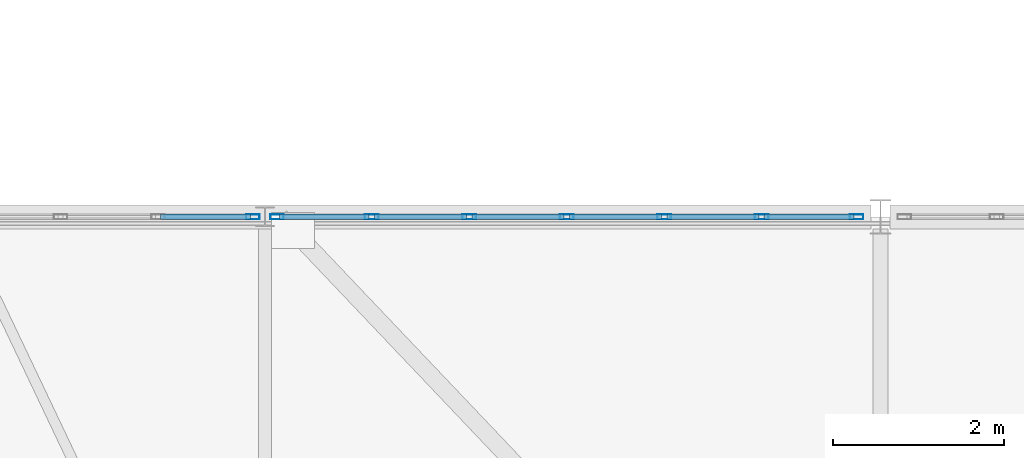
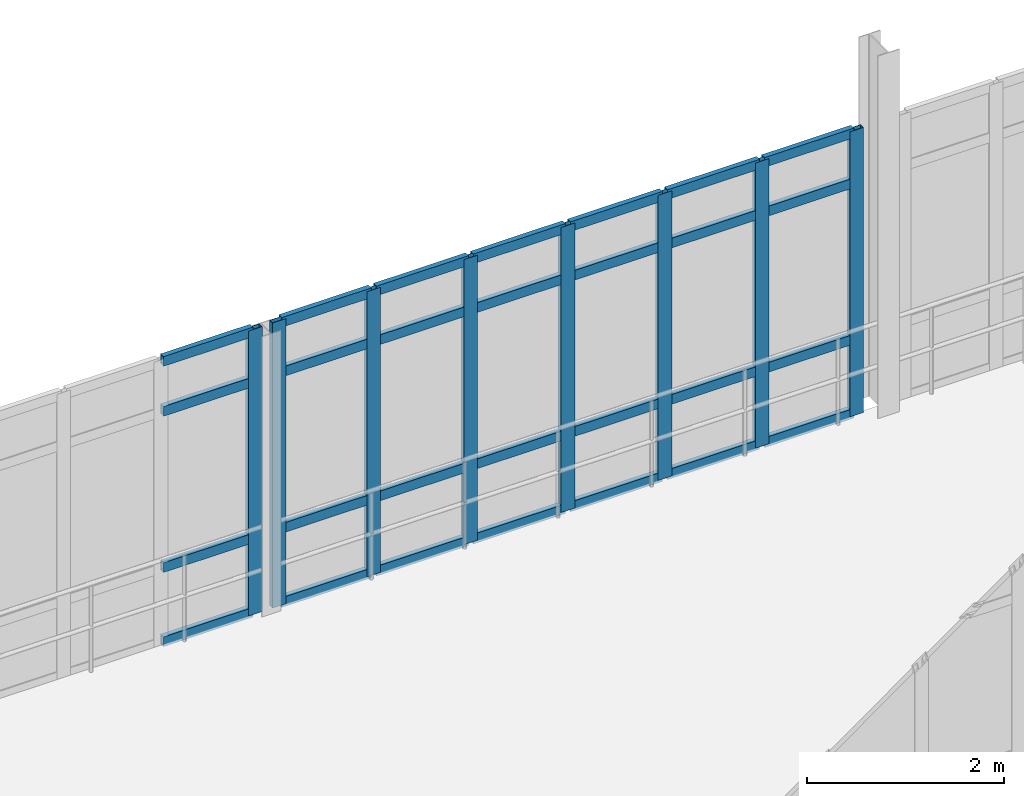
# One storey, part 49 of 116: 36 members, 2 elements without a shape of their own.
"""IFC4 building model written with IfcOpenShell, lengths in metres."""

from ifc_helpers import new_model, si_unit, direction, frame, origin, origin_2d, place, context, subcontext, project, spatial, hollow_rectangle, extrude, material, material_profile, profile_set, type_object, element, aggregate, save


model = new_model("IFC4")

# Units and contexts
model_context = context("Model", 3, precision=1e-05, world=origin(), true_north=direction((0.0, 1.0)))
body_context = subcontext(model_context, "Body", "Model", "MODEL_VIEW")
ifc_project = project(units=[si_unit("LENGTHUNIT", "METRE"), si_unit("AREAUNIT", "SQUARE_METRE"), si_unit("VOLUMEUNIT", "CUBIC_METRE"), si_unit("PLANEANGLEUNIT", "RADIAN"), si_unit("MASSUNIT", "GRAM", prefix="KILO")], contexts=[model_context])

# Site, building, storey
site_placement = place(None, origin())
site = spatial("IfcSite", under=ifc_project, at=site_placement, CompositionType="ELEMENT")
building_placement = place(site_placement, origin())
building = spatial("IfcBuilding", under=site, at=building_placement, Name="Kalluvel Institute of Natural Sciences", CompositionType="ELEMENT")
storey_placement = place(building_placement, frame((0.0, 0.0, 14.39990234375)))
storey = spatial("IfcBuildingStorey", under=building, at=storey_placement, Name="L03", CompositionType="ELEMENT", Elevation=14.39990234375)

# Curtain wall, member
ifc_material = material(Name="Aluminium AW-6063 T6", Category="aluminium")
curtain_wall_type = type_object("IfcCurtainWallType", Name="CW-BRG-45", PredefinedType="USERDEFINED", material=ifc_material)
curtain_wall_1_placement = place(storey_placement, origin())
curtain_wall_1 = element("IfcCurtainWall", 1, at=curtain_wall_1_placement, inside=storey, type_object=curtain_wall_type, Name="L03 Gothic lancet curtain wall CWA-L03-X790-Y356", ObjectType="UNITISED LANCET FACADE", PredefinedType="USERDEFINED")
ifc_material_profile_1 = material_profile(ifc_material, hollow_rectangle(XDim=0.06005859375, YDim=0.159912109375, WallThickness=0.00390625, at=origin_2d()), Name="CWM 60x160")
ifc_profile_set_1 = profile_set([ifc_material_profile_1], Name="Aluminium AW-6063 T6")
member_type_1 = type_object("IfcMemberType", Name="CWM-60x160", PredefinedType="MULLION", material=ifc_profile_set_1)
member_1_placement = place(storey_placement, frame((85.860107421875, 35.60009765625, 0.0), z_axis=(0.0, 0.0, 1.0), x_axis=(0.0, 1.0, 0.0)))
member_1 = element("IfcMember", 2, at=member_1_placement, type_object=member_type_1, Name="CW-07 mullion 7", PredefinedType="MULLION", context=body_context, shape_type="SweptSolid", body=[
    extrude(hollow_rectangle(XDim=0.06005859375, YDim=0.159912109375, WallThickness=0.00390625, at=origin_2d()), origin(), (0.0, 0.0, 1.0), 3.5400390625),
])

# Curtain wall, members
curtain_wall_2_placement = place(storey_placement, origin())
curtain_wall_2 = element("IfcCurtainWall", 3, at=curtain_wall_2_placement, inside=storey, type_object=curtain_wall_type, Name="L03 Gothic lancet curtain wall CWA-L03-X861-Y356", ObjectType="UNITISED LANCET FACADE", PredefinedType="USERDEFINED")
member_2_placement = place(storey_placement, frame((86.139892578125, 35.60009765625, 0.0), z_axis=(0.0, 0.0, 1.0), x_axis=(0.0, 1.0, 0.0)))
member_2 = element("IfcMember", 4, at=member_2_placement, type_object=member_type_1, Name="CW-07 mullion 1", PredefinedType="MULLION", context=body_context, shape_type="SweptSolid", body=[
    extrude(hollow_rectangle(XDim=0.06005859375, YDim=0.159912109375, WallThickness=0.00390625, at=origin_2d()), origin(), (0.0, 0.0, 1.0), 3.5400390625),
])
member_3_placement = place(storey_placement, frame((87.25, 35.60009765625, 0.0), z_axis=(0.0, 0.0, 1.0), x_axis=(0.0, 1.0, 0.0)))
member_3 = element("IfcMember", 5, at=member_3_placement, type_object=member_type_1, Name="CW-07 mullion 2", PredefinedType="MULLION", context=body_context, shape_type="SweptSolid", body=[
    extrude(hollow_rectangle(XDim=0.06005859375, YDim=0.159912109375, WallThickness=0.00390625, at=origin_2d()), origin(), (0.0, 0.0, 1.0), 3.5400390625),
])
member_4_placement = place(storey_placement, frame((88.389892578125, 35.60009765625, 0.0), z_axis=(0.0, 0.0, 1.0), x_axis=(0.0, 1.0, 0.0)))
member_4 = element("IfcMember", 6, at=member_4_placement, type_object=member_type_1, Name="CW-07 mullion 3", PredefinedType="MULLION", context=body_context, shape_type="SweptSolid", body=[
    extrude(hollow_rectangle(XDim=0.06005859375, YDim=0.159912109375, WallThickness=0.00390625, at=origin_2d()), origin(), (0.0, 0.0, 1.0), 3.5400390625),
])
member_5_placement = place(storey_placement, frame((89.530029296875, 35.60009765625, 0.0), z_axis=(0.0, 0.0, 1.0), x_axis=(0.0, 1.0, 0.0)))
member_5 = element("IfcMember", 7, at=member_5_placement, type_object=member_type_1, Name="CW-07 mullion 4", PredefinedType="MULLION", context=body_context, shape_type="SweptSolid", body=[
    extrude(hollow_rectangle(XDim=0.06005859375, YDim=0.159912109375, WallThickness=0.00390625, at=origin_2d()), origin(), (0.0, 0.0, 1.0), 3.5400390625),
])
member_6_placement = place(storey_placement, frame((90.669921875, 35.60009765625, 0.0), z_axis=(0.0, 0.0, 1.0), x_axis=(0.0, 1.0, 0.0)))
member_6 = element("IfcMember", 8, at=member_6_placement, type_object=member_type_1, Name="CW-07 mullion 5", PredefinedType="MULLION", context=body_context, shape_type="SweptSolid", body=[
    extrude(hollow_rectangle(XDim=0.06005859375, YDim=0.159912109375, WallThickness=0.00390625, at=origin_2d()), origin(), (0.0, 0.0, 1.0), 3.5400390625),
])
member_7_placement = place(storey_placement, frame((91.81005859375, 35.60009765625, 0.0), z_axis=(0.0, 0.0, 1.0), x_axis=(0.0, 1.0, 0.0)))
member_7 = element("IfcMember", 9, at=member_7_placement, type_object=member_type_1, Name="CW-07 mullion 6", PredefinedType="MULLION", context=body_context, shape_type="SweptSolid", body=[
    extrude(hollow_rectangle(XDim=0.06005859375, YDim=0.159912109375, WallThickness=0.00390625, at=origin_2d()), origin(), (0.0, 0.0, 1.0), 3.5400390625),
])
member_8_placement = place(storey_placement, frame((92.919921875, 35.60009765625, 0.0), z_axis=(0.0, 0.0, 1.0), x_axis=(0.0, 1.0, 0.0)))
member_8 = element("IfcMember", 10, at=member_8_placement, type_object=member_type_1, Name="CW-07 mullion 7", PredefinedType="MULLION", context=body_context, shape_type="SweptSolid", body=[
    extrude(hollow_rectangle(XDim=0.06005859375, YDim=0.159912109375, WallThickness=0.00390625, at=origin_2d()), origin(), (0.0, 0.0, 1.0), 3.5400390625),
])

# Member
ifc_material_profile_2 = material_profile(ifc_material, hollow_rectangle(XDim=0.06005859375, YDim=0.1201171875, WallThickness=0.00390625, at=origin_2d()), Name="CWT 60x120")
ifc_profile_set_2 = profile_set([ifc_material_profile_2], Name="Aluminium AW-6063 T6")
member_type_2 = type_object("IfcMemberType", Name="CWT-60x120", PredefinedType="USERDEFINED", material=ifc_profile_set_2)
member_9_placement = place(storey_placement, frame((84.780029296875, 35.60009765625, 0.030029296875), z_axis=(1.0, 0.0, 0.0), x_axis=(0.0, 1.0, 0.0)))
member_9 = element("IfcMember", 11, at=member_9_placement, type_object=member_type_2, Name="CW-07 transom 6.1", ObjectType="TRANSOM", PredefinedType="USERDEFINED", context=body_context, shape_type="SweptSolid", body=[
    extrude(hollow_rectangle(XDim=0.06005859375, YDim=0.1201171875, WallThickness=0.00390625, at=origin_2d()), origin(), (0.0, 0.0, 1.0), 1.050048828125),
])

member_10_placement = place(storey_placement, frame((84.780029296875, 35.60009765625, 0.9501953125), z_axis=(1.0, 0.0, 0.0), x_axis=(0.0, 1.0, 0.0)))
member_10 = element("IfcMember", 12, at=member_10_placement, type_object=member_type_2, Name="CW-07 transom 6.2", ObjectType="TRANSOM", PredefinedType="USERDEFINED", context=body_context, shape_type="SweptSolid", body=[
    extrude(hollow_rectangle(XDim=0.06005859375, YDim=0.1201171875, WallThickness=0.00390625, at=origin_2d()), origin(), (0.0, 0.0, 1.0), 1.050048828125),
])

member_11_placement = place(storey_placement, frame((84.780029296875, 35.60009765625, 2.89013671875), z_axis=(1.0, 0.0, 0.0), x_axis=(0.0, 1.0, 0.0)))
member_11 = element("IfcMember", 13, at=member_11_placement, type_object=member_type_2, Name="CW-07 transom 6.3", ObjectType="TRANSOM", PredefinedType="USERDEFINED", context=body_context, shape_type="SweptSolid", body=[
    extrude(hollow_rectangle(XDim=0.06005859375, YDim=0.1201171875, WallThickness=0.00390625, at=origin_2d()), origin(), (0.0, 0.0, 1.0), 1.050048828125),
])

member_12_placement = place(storey_placement, frame((84.780029296875, 35.60009765625, 3.510009765625), z_axis=(1.0, 0.0, 0.0), x_axis=(0.0, 1.0, 0.0)))
member_12 = element("IfcMember", 14, at=member_12_placement, type_object=member_type_2, Name="CW-07 transom 6.4", ObjectType="TRANSOM", PredefinedType="USERDEFINED", context=body_context, shape_type="SweptSolid", body=[
    extrude(hollow_rectangle(XDim=0.06005859375, YDim=0.1201171875, WallThickness=0.00390625, at=origin_2d()), origin(), (0.0, 0.0, 1.0), 1.050048828125),
])

aggregate(curtain_wall_1, [member_1, member_9, member_10, member_11, member_12])

member_13_placement = place(storey_placement, frame((86.169921875, 35.60009765625, 0.030029296875), z_axis=(1.0, 0.0, 0.0), x_axis=(0.0, 1.0, 0.0)))
member_13 = element("IfcMember", 15, at=member_13_placement, type_object=member_type_2, Name="CW-07 transom 1.1", ObjectType="TRANSOM", PredefinedType="USERDEFINED", context=body_context, shape_type="SweptSolid", body=[
    extrude(hollow_rectangle(XDim=0.06005859375, YDim=0.1201171875, WallThickness=0.00390625, at=origin_2d()), origin(), (0.0, 0.0, 1.0), 1.050048828125),
])

member_14_placement = place(storey_placement, frame((86.169921875, 35.60009765625, 0.9501953125), z_axis=(1.0, 0.0, 0.0), x_axis=(0.0, 1.0, 0.0)))
member_14 = element("IfcMember", 16, at=member_14_placement, type_object=member_type_2, Name="CW-07 transom 1.2", ObjectType="TRANSOM", PredefinedType="USERDEFINED", context=body_context, shape_type="SweptSolid", body=[
    extrude(hollow_rectangle(XDim=0.06005859375, YDim=0.1201171875, WallThickness=0.00390625, at=origin_2d()), origin(), (0.0, 0.0, 1.0), 1.050048828125),
])

member_15_placement = place(storey_placement, frame((86.169921875, 35.60009765625, 2.89013671875), z_axis=(1.0, 0.0, 0.0), x_axis=(0.0, 1.0, 0.0)))
member_15 = element("IfcMember", 17, at=member_15_placement, type_object=member_type_2, Name="CW-07 transom 1.3", ObjectType="TRANSOM", PredefinedType="USERDEFINED", context=body_context, shape_type="SweptSolid", body=[
    extrude(hollow_rectangle(XDim=0.06005859375, YDim=0.1201171875, WallThickness=0.00390625, at=origin_2d()), origin(), (0.0, 0.0, 1.0), 1.050048828125),
])

member_16_placement = place(storey_placement, frame((86.169921875, 35.60009765625, 3.510009765625), z_axis=(1.0, 0.0, 0.0), x_axis=(0.0, 1.0, 0.0)))
member_16 = element("IfcMember", 18, at=member_16_placement, type_object=member_type_2, Name="CW-07 transom 1.4", ObjectType="TRANSOM", PredefinedType="USERDEFINED", context=body_context, shape_type="SweptSolid", body=[
    extrude(hollow_rectangle(XDim=0.06005859375, YDim=0.1201171875, WallThickness=0.00390625, at=origin_2d()), origin(), (0.0, 0.0, 1.0), 1.050048828125),
])

member_17_placement = place(storey_placement, frame((87.280029296875, 35.60009765625, 0.030029296875), z_axis=(1.0, 0.0, 0.0), x_axis=(0.0, 1.0, 0.0)))
member_17 = element("IfcMember", 19, at=member_17_placement, type_object=member_type_2, Name="CW-07 transom 2.1", ObjectType="TRANSOM", PredefinedType="USERDEFINED", context=body_context, shape_type="SweptSolid", body=[
    extrude(hollow_rectangle(XDim=0.06005859375, YDim=0.1201171875, WallThickness=0.00390625, at=origin_2d()), origin(), (0.0, 0.0, 1.0), 1.080078125),
])

member_18_placement = place(storey_placement, frame((87.280029296875, 35.60009765625, 0.9501953125), z_axis=(1.0, 0.0, 0.0), x_axis=(0.0, 1.0, 0.0)))
member_18 = element("IfcMember", 20, at=member_18_placement, type_object=member_type_2, Name="CW-07 transom 2.2", ObjectType="TRANSOM", PredefinedType="USERDEFINED", context=body_context, shape_type="SweptSolid", body=[
    extrude(hollow_rectangle(XDim=0.06005859375, YDim=0.1201171875, WallThickness=0.00390625, at=origin_2d()), origin(), (0.0, 0.0, 1.0), 1.080078125),
])

member_19_placement = place(storey_placement, frame((87.280029296875, 35.60009765625, 2.89013671875), z_axis=(1.0, 0.0, 0.0), x_axis=(0.0, 1.0, 0.0)))
member_19 = element("IfcMember", 21, at=member_19_placement, type_object=member_type_2, Name="CW-07 transom 2.3", ObjectType="TRANSOM", PredefinedType="USERDEFINED", context=body_context, shape_type="SweptSolid", body=[
    extrude(hollow_rectangle(XDim=0.06005859375, YDim=0.1201171875, WallThickness=0.00390625, at=origin_2d()), origin(), (0.0, 0.0, 1.0), 1.080078125),
])

member_20_placement = place(storey_placement, frame((87.280029296875, 35.60009765625, 3.510009765625), z_axis=(1.0, 0.0, 0.0), x_axis=(0.0, 1.0, 0.0)))
member_20 = element("IfcMember", 22, at=member_20_placement, type_object=member_type_2, Name="CW-07 transom 2.4", ObjectType="TRANSOM", PredefinedType="USERDEFINED", context=body_context, shape_type="SweptSolid", body=[
    extrude(hollow_rectangle(XDim=0.06005859375, YDim=0.1201171875, WallThickness=0.00390625, at=origin_2d()), origin(), (0.0, 0.0, 1.0), 1.080078125),
])

member_21_placement = place(storey_placement, frame((88.419921875, 35.60009765625, 0.030029296875), z_axis=(1.0, 0.0, 0.0), x_axis=(0.0, 1.0, 0.0)))
member_21 = element("IfcMember", 23, at=member_21_placement, type_object=member_type_2, Name="CW-07 transom 3.1", ObjectType="TRANSOM", PredefinedType="USERDEFINED", context=body_context, shape_type="SweptSolid", body=[
    extrude(hollow_rectangle(XDim=0.06005859375, YDim=0.1201171875, WallThickness=0.00390625, at=origin_2d()), origin(), (0.0, 0.0, 1.0), 1.080078125),
])

member_22_placement = place(storey_placement, frame((88.419921875, 35.60009765625, 0.9501953125), z_axis=(1.0, 0.0, 0.0), x_axis=(0.0, 1.0, 0.0)))
member_22 = element("IfcMember", 24, at=member_22_placement, type_object=member_type_2, Name="CW-07 transom 3.2", ObjectType="TRANSOM", PredefinedType="USERDEFINED", context=body_context, shape_type="SweptSolid", body=[
    extrude(hollow_rectangle(XDim=0.06005859375, YDim=0.1201171875, WallThickness=0.00390625, at=origin_2d()), origin(), (0.0, 0.0, 1.0), 1.080078125),
])

member_23_placement = place(storey_placement, frame((88.419921875, 35.60009765625, 2.89013671875), z_axis=(1.0, 0.0, 0.0), x_axis=(0.0, 1.0, 0.0)))
member_23 = element("IfcMember", 25, at=member_23_placement, type_object=member_type_2, Name="CW-07 transom 3.3", ObjectType="TRANSOM", PredefinedType="USERDEFINED", context=body_context, shape_type="SweptSolid", body=[
    extrude(hollow_rectangle(XDim=0.06005859375, YDim=0.1201171875, WallThickness=0.00390625, at=origin_2d()), origin(), (0.0, 0.0, 1.0), 1.080078125),
])

member_24_placement = place(storey_placement, frame((88.419921875, 35.60009765625, 3.510009765625), z_axis=(1.0, 0.0, 0.0), x_axis=(0.0, 1.0, 0.0)))
member_24 = element("IfcMember", 26, at=member_24_placement, type_object=member_type_2, Name="CW-07 transom 3.4", ObjectType="TRANSOM", PredefinedType="USERDEFINED", context=body_context, shape_type="SweptSolid", body=[
    extrude(hollow_rectangle(XDim=0.06005859375, YDim=0.1201171875, WallThickness=0.00390625, at=origin_2d()), origin(), (0.0, 0.0, 1.0), 1.080078125),
])

member_25_placement = place(storey_placement, frame((89.56005859375, 35.60009765625, 0.030029296875), z_axis=(1.0, 0.0, 0.0), x_axis=(0.0, 1.0, 0.0)))
member_25 = element("IfcMember", 27, at=member_25_placement, type_object=member_type_2, Name="CW-07 transom 4.1", ObjectType="TRANSOM", PredefinedType="USERDEFINED", context=body_context, shape_type="SweptSolid", body=[
    extrude(hollow_rectangle(XDim=0.06005859375, YDim=0.1201171875, WallThickness=0.00390625, at=origin_2d()), origin(), (0.0, 0.0, 1.0), 1.079833984375),
])

member_26_placement = place(storey_placement, frame((89.56005859375, 35.60009765625, 0.9501953125), z_axis=(1.0, 0.0, 0.0), x_axis=(0.0, 1.0, 0.0)))
member_26 = element("IfcMember", 28, at=member_26_placement, type_object=member_type_2, Name="CW-07 transom 4.2", ObjectType="TRANSOM", PredefinedType="USERDEFINED", context=body_context, shape_type="SweptSolid", body=[
    extrude(hollow_rectangle(XDim=0.06005859375, YDim=0.1201171875, WallThickness=0.00390625, at=origin_2d()), origin(), (0.0, 0.0, 1.0), 1.079833984375),
])

member_27_placement = place(storey_placement, frame((89.56005859375, 35.60009765625, 2.89013671875), z_axis=(1.0, 0.0, 0.0), x_axis=(0.0, 1.0, 0.0)))
member_27 = element("IfcMember", 29, at=member_27_placement, type_object=member_type_2, Name="CW-07 transom 4.3", ObjectType="TRANSOM", PredefinedType="USERDEFINED", context=body_context, shape_type="SweptSolid", body=[
    extrude(hollow_rectangle(XDim=0.06005859375, YDim=0.1201171875, WallThickness=0.00390625, at=origin_2d()), origin(), (0.0, 0.0, 1.0), 1.079833984375),
])

member_28_placement = place(storey_placement, frame((89.56005859375, 35.60009765625, 3.510009765625), z_axis=(1.0, 0.0, 0.0), x_axis=(0.0, 1.0, 0.0)))
member_28 = element("IfcMember", 30, at=member_28_placement, type_object=member_type_2, Name="CW-07 transom 4.4", ObjectType="TRANSOM", PredefinedType="USERDEFINED", context=body_context, shape_type="SweptSolid", body=[
    extrude(hollow_rectangle(XDim=0.06005859375, YDim=0.1201171875, WallThickness=0.00390625, at=origin_2d()), origin(), (0.0, 0.0, 1.0), 1.079833984375),
])

member_29_placement = place(storey_placement, frame((90.699951171875, 35.60009765625, 0.030029296875), z_axis=(1.0, 0.0, 0.0), x_axis=(0.0, 1.0, 0.0)))
member_29 = element("IfcMember", 31, at=member_29_placement, type_object=member_type_2, Name="CW-07 transom 5.1", ObjectType="TRANSOM", PredefinedType="USERDEFINED", context=body_context, shape_type="SweptSolid", body=[
    extrude(hollow_rectangle(XDim=0.06005859375, YDim=0.1201171875, WallThickness=0.00390625, at=origin_2d()), origin(), (0.0, 0.0, 1.0), 1.080078125),
])

member_30_placement = place(storey_placement, frame((90.699951171875, 35.60009765625, 0.9501953125), z_axis=(1.0, 0.0, 0.0), x_axis=(0.0, 1.0, 0.0)))
member_30 = element("IfcMember", 32, at=member_30_placement, type_object=member_type_2, Name="CW-07 transom 5.2", ObjectType="TRANSOM", PredefinedType="USERDEFINED", context=body_context, shape_type="SweptSolid", body=[
    extrude(hollow_rectangle(XDim=0.06005859375, YDim=0.1201171875, WallThickness=0.00390625, at=origin_2d()), origin(), (0.0, 0.0, 1.0), 1.080078125),
])

member_31_placement = place(storey_placement, frame((90.699951171875, 35.60009765625, 2.89013671875), z_axis=(1.0, 0.0, 0.0), x_axis=(0.0, 1.0, 0.0)))
member_31 = element("IfcMember", 33, at=member_31_placement, type_object=member_type_2, Name="CW-07 transom 5.3", ObjectType="TRANSOM", PredefinedType="USERDEFINED", context=body_context, shape_type="SweptSolid", body=[
    extrude(hollow_rectangle(XDim=0.06005859375, YDim=0.1201171875, WallThickness=0.00390625, at=origin_2d()), origin(), (0.0, 0.0, 1.0), 1.080078125),
])

member_32_placement = place(storey_placement, frame((90.699951171875, 35.60009765625, 3.510009765625), z_axis=(1.0, 0.0, 0.0), x_axis=(0.0, 1.0, 0.0)))
member_32 = element("IfcMember", 34, at=member_32_placement, type_object=member_type_2, Name="CW-07 transom 5.4", ObjectType="TRANSOM", PredefinedType="USERDEFINED", context=body_context, shape_type="SweptSolid", body=[
    extrude(hollow_rectangle(XDim=0.06005859375, YDim=0.1201171875, WallThickness=0.00390625, at=origin_2d()), origin(), (0.0, 0.0, 1.0), 1.080078125),
])

member_33_placement = place(storey_placement, frame((91.840087890625, 35.60009765625, 0.030029296875), z_axis=(1.0, 0.0, 0.0), x_axis=(0.0, 1.0, 0.0)))
member_33 = element("IfcMember", 35, at=member_33_placement, type_object=member_type_2, Name="CW-07 transom 6.1", ObjectType="TRANSOM", PredefinedType="USERDEFINED", context=body_context, shape_type="SweptSolid", body=[
    extrude(hollow_rectangle(XDim=0.06005859375, YDim=0.1201171875, WallThickness=0.00390625, at=origin_2d()), origin(), (0.0, 0.0, 1.0), 1.0498046875),
])

member_34_placement = place(storey_placement, frame((91.840087890625, 35.60009765625, 0.9501953125), z_axis=(1.0, 0.0, 0.0), x_axis=(0.0, 1.0, 0.0)))
member_34 = element("IfcMember", 36, at=member_34_placement, type_object=member_type_2, Name="CW-07 transom 6.2", ObjectType="TRANSOM", PredefinedType="USERDEFINED", context=body_context, shape_type="SweptSolid", body=[
    extrude(hollow_rectangle(XDim=0.06005859375, YDim=0.1201171875, WallThickness=0.00390625, at=origin_2d()), origin(), (0.0, 0.0, 1.0), 1.0498046875),
])

member_35_placement = place(storey_placement, frame((91.840087890625, 35.60009765625, 2.89013671875), z_axis=(1.0, 0.0, 0.0), x_axis=(0.0, 1.0, 0.0)))
member_35 = element("IfcMember", 37, at=member_35_placement, type_object=member_type_2, Name="CW-07 transom 6.3", ObjectType="TRANSOM", PredefinedType="USERDEFINED", context=body_context, shape_type="SweptSolid", body=[
    extrude(hollow_rectangle(XDim=0.06005859375, YDim=0.1201171875, WallThickness=0.00390625, at=origin_2d()), origin(), (0.0, 0.0, 1.0), 1.0498046875),
])

member_36_placement = place(storey_placement, frame((91.840087890625, 35.60009765625, 3.510009765625), z_axis=(1.0, 0.0, 0.0), x_axis=(0.0, 1.0, 0.0)))
member_36 = element("IfcMember", 38, at=member_36_placement, type_object=member_type_2, Name="CW-07 transom 6.4", ObjectType="TRANSOM", PredefinedType="USERDEFINED", context=body_context, shape_type="SweptSolid", body=[
    extrude(hollow_rectangle(XDim=0.06005859375, YDim=0.1201171875, WallThickness=0.00390625, at=origin_2d()), origin(), (0.0, 0.0, 1.0), 1.0498046875),
])

aggregate(curtain_wall_2, [member_2, member_3, member_4, member_5, member_6, member_7, member_8, member_13, member_14, member_15, member_16, member_17, member_18, member_19, member_20, member_21, member_22, member_23, member_24, member_25, member_26, member_27, member_28, member_29, member_30, member_31, member_32, member_33, member_34, member_35, member_36])

save(model, "model.ifc")
